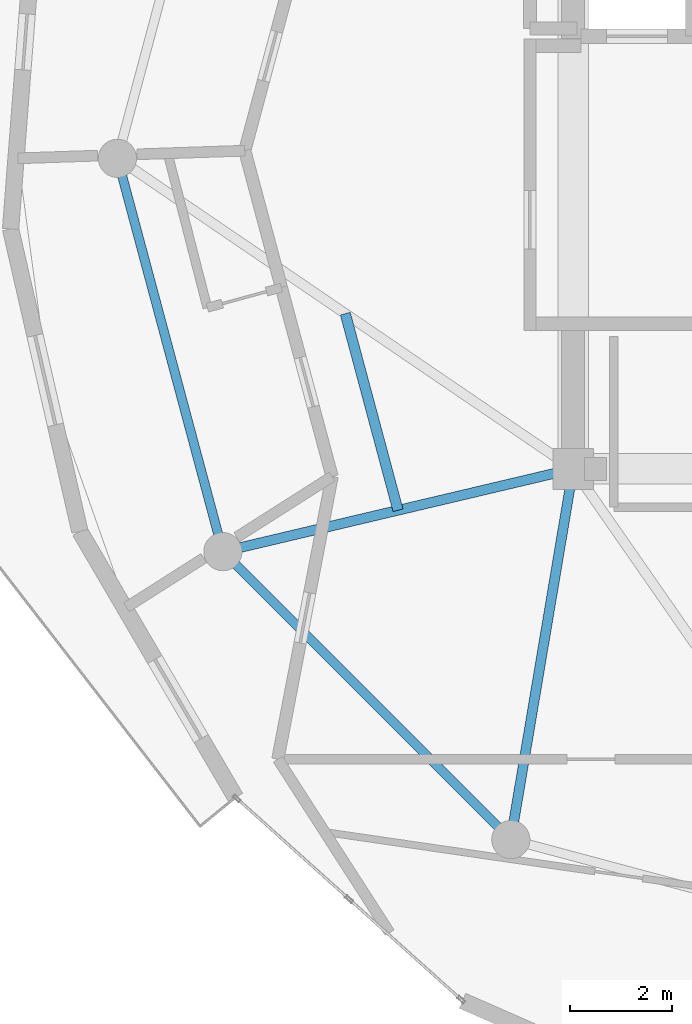
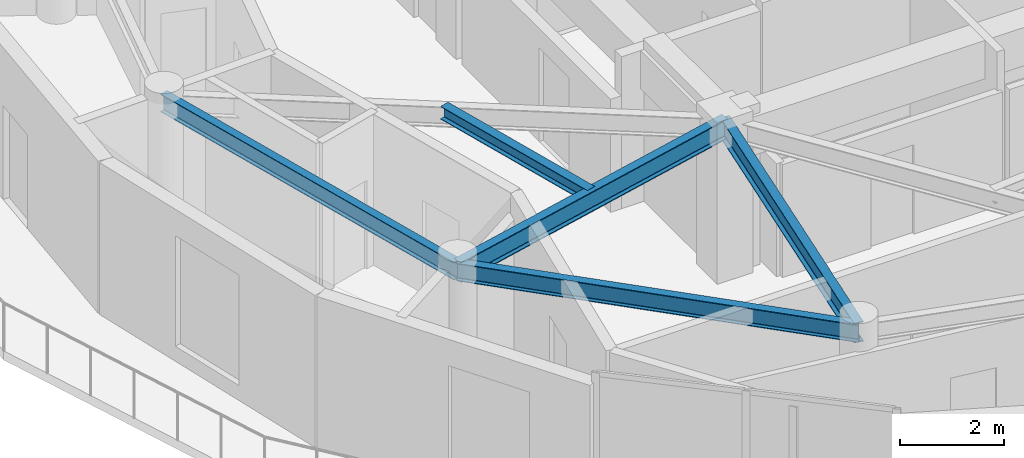
# One storey, part 3 of 19: 5 beams.
"""IFC4 building model written with IfcOpenShell, lengths in metres."""

from ifc_helpers import new_model, si_unit, direction, frame, origin, origin_2d, place, context, subcontext, project, spatial, i_section, extrude, material, material_profile, profile_set, type_object, element, save


model = new_model("IFC4")

# Units and contexts
model_context = context("Model", 3, precision=1e-05, world=origin(), true_north=direction((0.0, 1.0)))
body_context = subcontext(model_context, "Body", "Model", "MODEL_VIEW")
ifc_project = project(units=[si_unit("LENGTHUNIT", "METRE"), si_unit("AREAUNIT", "SQUARE_METRE"), si_unit("VOLUMEUNIT", "CUBIC_METRE"), si_unit("PLANEANGLEUNIT", "RADIAN"), si_unit("MASSUNIT", "GRAM", prefix="KILO")], contexts=[model_context])

# Site, building, storey
site_placement = place(None, origin())
site = spatial("IfcSite", under=ifc_project, at=site_placement, CompositionType="ELEMENT")
building_placement = place(site_placement, origin())
building = spatial("IfcBuilding", under=site, at=building_placement, Name="Solvirekh Grand Hotel", CompositionType="ELEMENT")
storey_placement = place(building_placement, frame((0.0, 0.0, 266.800048828125)))
storey = spatial("IfcBuildingStorey", under=building, at=storey_placement, Name="L69", CompositionType="ELEMENT", Elevation=266.800048828125)

# Beams
ifc_material = material(Name="Steel S355", Category="steel")
ifc_material_profile_1 = material_profile(ifc_material, i_section(OverallWidth=0.194091796875, OverallDepth=0.468994140625, WebThickness=0.010986328125, FlangeThickness=0.01904296875, FilletRadius=0.012939453125, at=origin_2d()), Name="W460X106")
ifc_profile_set_1 = profile_set([ifc_material_profile_1], Name="Steel S355")
beam_type_1 = type_object("IfcBeamType", Name="Beam_Radial_W460H", PredefinedType="BEAM", material=ifc_profile_set_1)
beam_1_placement = place(storey_placement, frame((-6.5, -6.10009765625, 3.3349609375), z_axis=(-0.973221147544, -0.229870828888, 0.0), x_axis=(0.229870828888, -0.973221147544, 0.0)))
element("IfcBeam", 1, at=beam_1_placement, inside=storey, type_object=beam_type_1, Name="L69 radial floor beam R08", PredefinedType="BEAM", context=body_context, shape_type="SweptSolid", body=[
    extrude(i_section(OverallWidth=0.194091796875, OverallDepth=0.468994140625, WebThickness=0.010986328125, FlangeThickness=0.01904296875, FilletRadius=0.012939453125, at=origin_2d()), origin(), (0.0, 0.0, 1.0), 7.069091796875),
])
beam_2_placement = place(storey_placement, frame((-6.5, -6.10009765625, 3.3349609375), z_axis=(-0.165954049106, -0.986133486697, 0.0), x_axis=(0.986133486697, -0.165954049106, 0.0)))
element("IfcBeam", 2, at=beam_2_placement, inside=storey, type_object=beam_type_1, Name="L69 radial floor beam R09", PredefinedType="BEAM", context=body_context, shape_type="SweptSolid", body=[
    extrude(i_section(OverallWidth=0.194091796875, OverallDepth=0.468994140625, WebThickness=0.010986328125, FlangeThickness=0.01904296875, FilletRadius=0.012939453125, at=origin_2d()), origin(), (0.0, 0.0, 1.0), 7.382080078125),
])
ifc_material_profile_2 = material_profile(ifc_material, i_section(OverallWidth=0.202880859375, OverallDepth=0.302978515625, WebThickness=0.008056640625, FlangeThickness=0.012939453125, FilletRadius=0.010009765625, at=origin_2d()), Name="W310X60")
ifc_profile_set_2 = profile_set([ifc_material_profile_2], Name="Steel S355")
beam_type_2 = type_object("IfcBeamType", Name="Joist_Floor_W310", PredefinedType="JOIST", material=ifc_profile_set_2)
beam_3_placement = place(storey_placement, frame((-10.97509765625, -3.050048828125, 3.4189453125), z_axis=(0.258893772796, -0.965905799966, 0.0), x_axis=(0.965905799966, 0.258893772796, 0.0)))
element("IfcBeam", 3, at=beam_3_placement, inside=storey, type_object=beam_type_2, Name="L69 secondary composite floor joist 7", PredefinedType="JOIST", context=body_context, shape_type="SweptSolid", body=[
    extrude(i_section(OverallWidth=0.202880859375, OverallDepth=0.302978515625, WebThickness=0.008056640625, FlangeThickness=0.012939453125, FilletRadius=0.010009765625, at=origin_2d()), origin(), (0.0, 0.0, 1.0), 3.998291015625),
])
ifc_material_profile_3 = material_profile(ifc_material, i_section(OverallWidth=0.180908203125, OverallDepth=0.4169921875, WebThickness=0.010009765625, FlangeThickness=0.01611328125, FilletRadius=0.011962890625, at=origin_2d()), Name="W410X85")
ifc_profile_set_3 = profile_set([ifc_material_profile_3], Name="Steel S355")
beam_type_3 = type_object("IfcBeamType", Name="Spandrel_Ring_W410", PredefinedType="SPANDREL", material=ifc_profile_set_3)
beam_4_placement = place(storey_placement, frame((-15.449951171875, 0.0, 3.36083984375), z_axis=(0.258834757072, -0.965921616143, 0.0), x_axis=(0.965921616143, 0.258834757072, 0.0)))
element("IfcBeam", 4, at=beam_4_placement, inside=storey, type_object=beam_type_3, Name="L69 perimeter spandrel beam 7", PredefinedType="SPANDREL", context=body_context, shape_type="SweptSolid", body=[
    extrude(i_section(OverallWidth=0.180908203125, OverallDepth=0.4169921875, WebThickness=0.010009765625, FlangeThickness=0.01611328125, FilletRadius=0.011962890625, at=origin_2d()), origin(), (0.0, 0.0, 1.0), 7.99755859375),
])
beam_5_placement = place(storey_placement, frame((-13.3798828125, -7.72509765625, 3.36083984375), z_axis=(0.707106781187, -0.707106781187, 0.0), x_axis=(0.707106781187, 0.707106781187, 0.0)))
element("IfcBeam", 5, at=beam_5_placement, inside=storey, type_object=beam_type_3, Name="L69 perimeter spandrel beam 8", PredefinedType="SPANDREL", context=body_context, shape_type="SweptSolid", body=[
    extrude(i_section(OverallWidth=0.180908203125, OverallDepth=0.4169921875, WebThickness=0.010009765625, FlangeThickness=0.01611328125, FilletRadius=0.011962890625, at=origin_2d()), origin(), (0.0, 0.0, 1.0), 7.9970703125),
])

save(model, "model.ifc")
